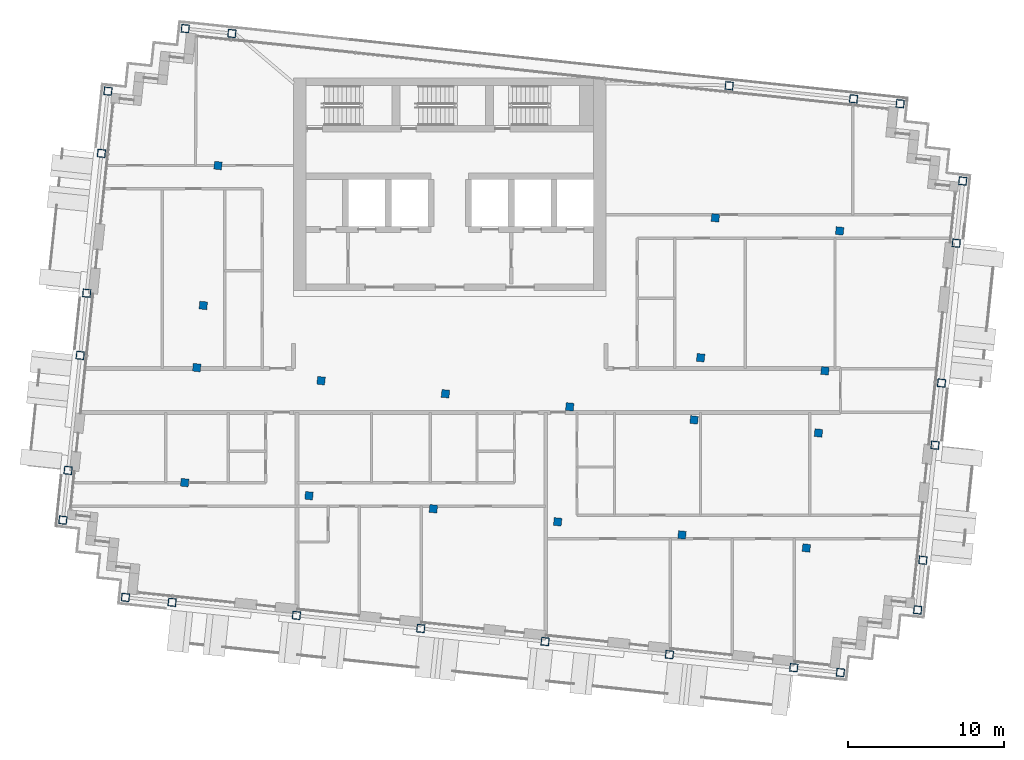
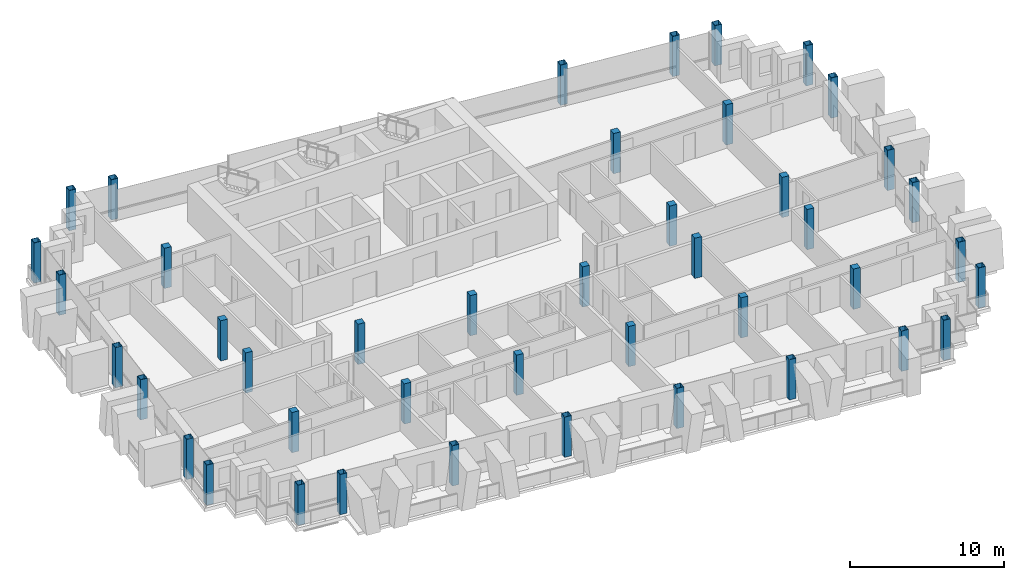
# One storey, part 1 of 16: 43 columns.
"""IFC4 building model written with IfcOpenShell, lengths in metres."""

from ifc_helpers import new_model, si_unit, direction, frame, origin, origin_2d, place, context, subcontext, project, spatial, rectangle, hollow_rectangle, extrude, material, material_profile, profile_set, type_object, element, save


model = new_model("IFC4")

# Units and contexts
model_context = context("Model", 3, precision=1e-05, world=origin(), true_north=direction((0.0, 1.0)))
body_context = subcontext(model_context, "Body", "Model", "MODEL_VIEW")
ifc_project = project(units=[si_unit("LENGTHUNIT", "METRE"), si_unit("AREAUNIT", "SQUARE_METRE"), si_unit("VOLUMEUNIT", "CUBIC_METRE"), si_unit("PLANEANGLEUNIT", "RADIAN"), si_unit("MASSUNIT", "GRAM", prefix="KILO")], contexts=[model_context])

# Site, building, storey
site_placement = place(None, origin())
site = spatial("IfcSite", under=ifc_project, at=site_placement, CompositionType="ELEMENT")
building_placement = place(site_placement, origin())
building = spatial("IfcBuilding", under=site, at=building_placement, Name="Vidyagriha Tower", CompositionType="ELEMENT")
storey_placement = place(building_placement, frame((0.0, 0.0, 272.300048828125)))
storey = spatial("IfcBuildingStorey", under=building, at=storey_placement, Name="L71", CompositionType="ELEMENT", Elevation=272.300048828125)

# Columns
ifc_material_1 = material(Name="Steel ASTM A572 Grade 50", Category="steel")
ifc_material_profile_1 = material_profile(ifc_material_1, hollow_rectangle(XDim=0.5, YDim=0.5, WallThickness=0.02490234375, at=origin_2d()), Name="BOX 500x500x25")
ifc_profile_set_1 = profile_set([ifc_material_profile_1], Name="Steel ASTM A572 Grade 50")
column_type_1 = type_object("IfcColumnType", Name="Exoskeleton column BOX 500x500x25", PredefinedType="COLUMN", material=ifc_profile_set_1)
for number, where, z_axis, x_axis, name in (
    (1, (-20.751953125, -13.24267578125, 0.0), (0.0, 0.0, 1.0), (0.994521895368, -0.104528463268, 0.0), "st-col-L71-B6-001"),
    (2, (-17.768310546875, -13.55615234375, 0.0), (0.0, 0.0, 1.0), (0.994521895368, -0.104528463268, 0.0), "st-col-L71-B6-002"),
    (3, (-9.812255859375, -14.392333984375, 0.0), (0.0, 0.0, 1.0), (0.994521895368, -0.104528463268, 0.0), "st-col-L71-B6-003"),
    (4, (-1.856201171875, -15.228515625, 0.0), (0.0, 0.0, 1.0), (0.994521895368, -0.104528463268, 0.0), "st-col-L71-B6-004"),
    (5, (6.10009765625, -16.06494140625, 0.0), (0.0, 0.0, 1.0), (0.994521895368, -0.104528463268, 0.0), "st-col-L71-B6-005"),
    (6, (14.056396484375, -16.901123046875, 0.0), (0.0, 0.0, 1.0), (0.994521895368, -0.104528463268, 0.0), "st-col-L71-B6-006"),
    (7, (22.012451171875, -17.7373046875, 0.0), (0.0, 0.0, 1.0), (0.994521895368, -0.104528463268, 0.0), "st-col-L71-B6-007"),
    (8, (24.99609375, -18.05078125, 0.0), (0.0, 0.0, 1.0), (0.994521895368, -0.104528463268, 0.0), "st-col-L71-B6-008"),
    (9, (-24.757080078125, -8.296875, 0.0), (0.0, 0.0, 1.0), (0.994521895368, -0.104528463268, 0.0), "st-col-L71-B6-009"),
    (10, (29.941650390625, -14.0458984375, 0.0), (0.0, 0.0, 1.0), (0.994521895368, -0.104528463268, 0.0), "st-col-L71-B6-010"),
    (11, (-24.422607421875, -5.114501953125, 0.0), (0.0, 0.0, 1.0), (0.994521895368, -0.104528463268, 0.0), "st-col-L71-B6-011"),
    (12, (30.276123046875, -10.863525390625, 0.0), (0.0, 0.0, 1.0), (0.994521895368, -0.104528463268, 0.0), "st-col-L71-B6-018"),
    (13, (-23.64892578125, 2.2451171875, 0.0), (0.0, 0.0, 1.0), (0.994521895368, -0.104528463268, 0.0), "st-col-L71-B6-019"),
    (14, (31.0498046875, -3.50390625, 0.0), (0.0, 0.0, 1.0), (0.994521895368, -0.104528463268, 0.0), "st-col-L71-B6-026"),
    (15, (-23.23095703125, 6.22314453125, 0.0), (0.0, 0.0, 1.0), (0.994521895368, -0.104528463268, 0.0), "st-col-L71-B6-027"),
    (16, (31.4677734375, 0.47412109375, 0.0), (0.0, 0.0, 1.0), (0.994521895368, -0.104528463268, 0.0), "st-col-L71-B6-031"),
    (17, (-22.2900390625, 15.173828125, 0.0), (0.0, 0.0, 1.0), (0.994521895368, -0.104528463268, 0.0), "st-col-L71-B6-032"),
    (18, (32.40869140625, 9.4248046875, 0.0), (0.0, 0.0, 1.0), (0.994521895368, -0.104528463268, 0.0), "st-col-L71-B6-036"),
    (19, (-21.8720703125, 19.15185546875, 0.0), (0.0, 0.0, 1.0), (0.994521895368, -0.104528463268, 0.0), "st-col-L71-B6-037"),
    (20, (32.82666015625, 13.40283203125, 0.0), (0.0, 0.0, 1.0), (0.994521895368, -0.104528463268, 0.0), "st-col-L71-B6-038"),
    (21, (-16.92626953125, 23.156982421875, 0.0), (0.0, 0.0, 1.0), (0.994521895368, -0.104528463268, 0.0), "st-col-L71-B6-039"),
    (22, (-13.942626953125, 22.84326171875, 0.0), (0.0, 0.0, 1.0), (0.994521895368, -0.104528463268, 0.0), "st-col-L71-B6-040"),
    (23, (17.882080078125, 19.498291015625, 0.0), (0.0, 0.0, 1.0), (0.994521895368, -0.104528463268, 0.0), "st-col-L71-B6-041"),
    (24, (25.838134765625, 18.662109375, 0.0), (0.0, 0.0, 1.0), (0.994521895368, -0.104528463268, 0.0), "st-col-L71-B6-042"),
    (25, (28.82177734375, 18.3486328125, 0.0), (0.0, 0.0, 1.0), (0.994521895368, -0.104528463268, 0.0), "st-col-L71-B6-043"),
):
    element("IfcColumn", number, at=place(storey_placement, frame(where, z_axis=z_axis, x_axis=x_axis)), inside=storey, type_object=column_type_1, Name=name, PredefinedType="COLUMN", context=body_context, shape_type="SweptSolid", body=[
        extrude(hollow_rectangle(XDim=0.5, YDim=0.5, WallThickness=0.02490234375, at=origin_2d()), origin(), (0.0, 0.0, 1.0), 3.199951171875),
    ])
ifc_material_2 = material(Name="Concrete C60/75", Category="concrete")
ifc_material_profile_2 = material_profile(ifc_material_2, rectangle(XDim=0.5, YDim=0.5, at=origin_2d()), Name="RC 500x500")
ifc_profile_set_2 = profile_set([ifc_material_profile_2], Name="Concrete C60/75")
column_type_2 = type_object("IfcColumnType", Name="Frame column RC 500x500", PredefinedType="COLUMN", material=ifc_profile_set_2)
for number, where, z_axis, x_axis, name in (
    (26, (-16.963623046875, -5.8984375, 0.0), (0.0, 0.0, 1.0), (0.994521895368, -0.104528463268, 0.0), "st-col-L71-B6-012"),
    (27, (-9.00732421875, -6.734619140625, 0.0), (0.0, 0.0, 1.0), (0.994521895368, -0.104528463268, 0.0), "st-col-L71-B6-013"),
    (28, (-1.05126953125, -7.57080078125, 0.0), (0.0, 0.0, 1.0), (0.994521895368, -0.104528463268, 0.0), "st-col-L71-B6-014"),
    (29, (6.905029296875, -8.406982421875, 0.0), (0.0, 0.0, 1.0), (0.994521895368, -0.104528463268, 0.0), "st-col-L71-B6-015"),
    (30, (14.861083984375, -9.243408203125, 0.0), (0.0, 0.0, 1.0), (0.994521895368, -0.104528463268, 0.0), "st-col-L71-B6-016"),
    (31, (22.8173828125, -10.07958984375, 0.0), (0.0, 0.0, 1.0), (0.994521895368, -0.104528463268, 0.0), "st-col-L71-B6-017"),
    (32, (-16.190185546875, 1.461181640625, 0.0), (0.0, 0.0, 1.0), (0.994521895368, -0.104528463268, 0.0), "st-col-L71-B6-020"),
    (33, (-8.23388671875, 0.625, 0.0), (0.0, 0.0, 1.0), (0.994521895368, -0.104528463268, 0.0), "st-col-L71-B6-021"),
    (34, (-0.277587890625, -0.21142578125, 0.0), (0.0, 0.0, 1.0), (0.994521895368, -0.104528463268, 0.0), "st-col-L71-B6-022"),
    (35, (7.678466796875, -1.047607421875, 0.0), (0.0, 0.0, 1.0), (0.994521895368, -0.104528463268, 0.0), "st-col-L71-B6-023"),
    (36, (15.634521484375, -1.8837890625, 0.0), (0.0, 0.0, 1.0), (0.994521895368, -0.104528463268, 0.0), "st-col-L71-B6-024"),
    (37, (23.5908203125, -2.72021484375, 0.0), (0.0, 0.0, 1.0), (0.994521895368, -0.104528463268, 0.0), "st-col-L71-B6-025"),
    (38, (-15.77197265625, 5.439208984375, 0.0), (0.0, 0.0, 1.0), (0.994521895368, -0.104528463268, 0.0), "st-col-L71-B6-028"),
    (39, (16.052734375, 2.09423828125, 0.0), (0.0, 0.0, 1.0), (0.994521895368, -0.104528463268, 0.0), "st-col-L71-B6-029"),
    (40, (24.0087890625, 1.258056640625, 0.0), (0.0, 0.0, 1.0), (0.994521895368, -0.104528463268, 0.0), "st-col-L71-B6-030"),
    (41, (-14.831298828125, 14.389892578125, 0.0), (0.0, 0.0, 1.0), (0.994521895368, -0.104528463268, 0.0), "st-col-L71-B6-033"),
    (42, (16.993408203125, 11.044921875, 0.0), (0.0, 0.0, 1.0), (0.994521895368, -0.104528463268, 0.0), "st-col-L71-B6-034"),
    (43, (24.94970703125, 10.208740234375, 0.0), (0.0, 0.0, 1.0), (0.994521895368, -0.104528463268, 0.0), "st-col-L71-B6-035"),
):
    element("IfcColumn", number, at=place(storey_placement, frame(where, z_axis=z_axis, x_axis=x_axis)), inside=storey, type_object=column_type_2, Name=name, PredefinedType="COLUMN", context=body_context, shape_type="SweptSolid", body=[
        extrude(rectangle(XDim=0.5, YDim=0.5, at=origin_2d()), origin(), (0.0, 0.0, 1.0), 3.199951171875),
    ])

save(model, "model.ifc")
